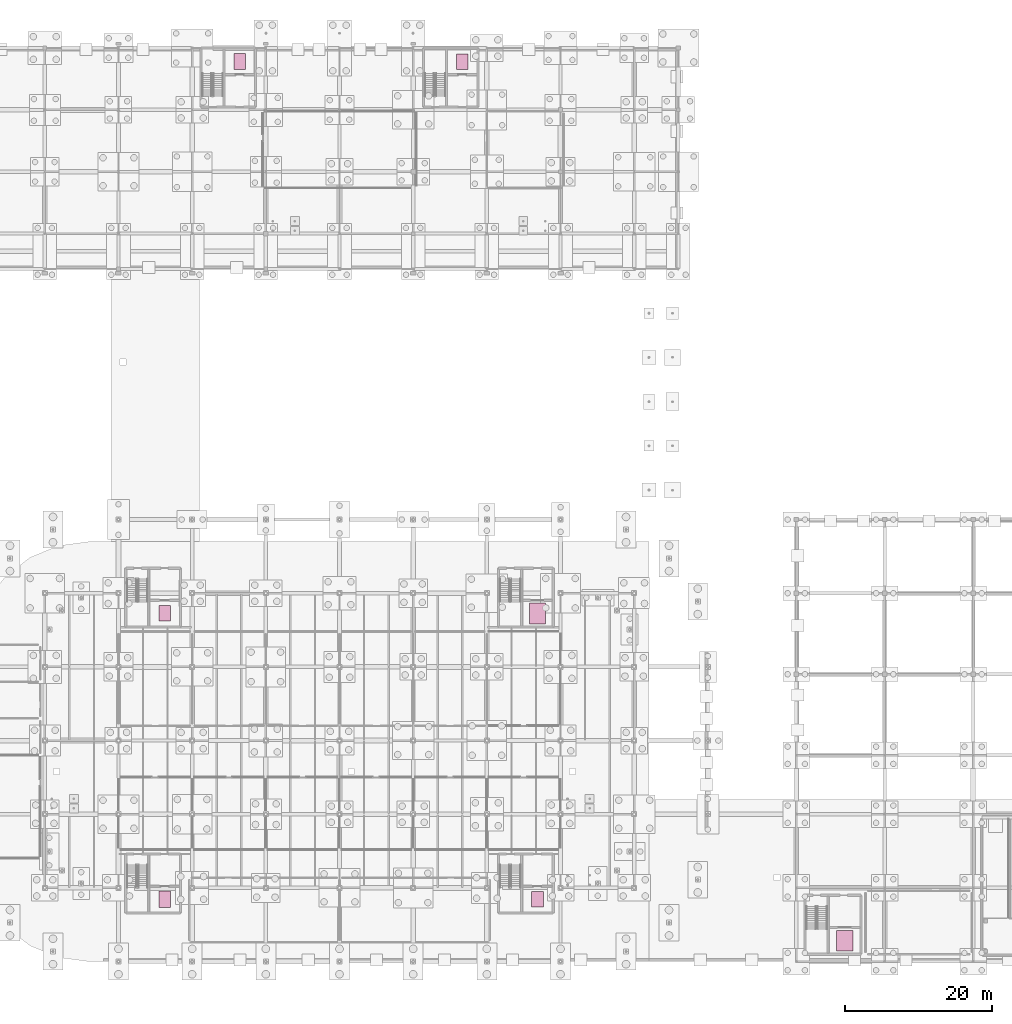
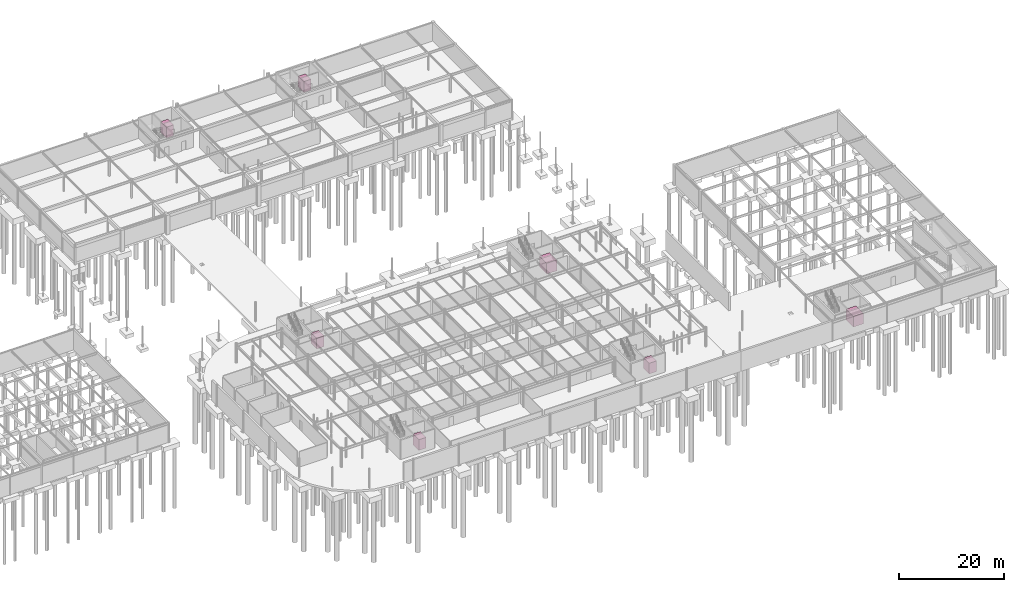
# One storey, part 75 of 75: 7 transport elements.
"""IFC4 building model written with IfcOpenShell, lengths in metres."""

from ifc_helpers import new_model, si_unit, derived_unit, direction, frame, origin, origin_2d_with_axis, place, context, subcontext, project, spatial, rectangle, extrude, material, type_object, element, save


model = new_model("IFC4")

# Units and contexts
model_context = context("Model", 3, precision=1e-05, world=origin(), true_north=direction((0.0, 1.0)))
body_context = subcontext(model_context, "Body", "Model", "MODEL_VIEW")
ifc_project = project(units=[si_unit("LENGTHUNIT", "METRE"), si_unit("AREAUNIT", "SQUARE_METRE"), si_unit("VOLUMEUNIT", "CUBIC_METRE"), si_unit("PLANEANGLEUNIT", "RADIAN"), si_unit("MASSUNIT", "GRAM", prefix="KILO"), derived_unit("THERMALTRANSMITTANCEUNIT", [(si_unit("POWERUNIT", "WATT"), 1), (si_unit("LENGTHUNIT", "METRE"), -2), (si_unit("THERMODYNAMICTEMPERATUREUNIT", "KELVIN"), -1)])], contexts=[model_context])

# Site, building, storey
site_placement = place(None, origin())
site = spatial("IfcSite", under=ifc_project, at=site_placement, CompositionType="ELEMENT")
building_placement = place(site_placement, origin())
building = spatial("IfcBuilding", under=site, at=building_placement, Name="Cinnabar Yard Market Hall", CompositionType="ELEMENT")
storey_placement = place(building_placement, frame((0.0, 0.0, -4.5)))
storey = spatial("IfcBuildingStorey", under=building, at=storey_placement, Name="B1", CompositionType="ELEMENT", Elevation=-4.5)

# Transport elements
ifc_material = material(Name="Brushed stainless steel lift car", Category="steel")
transport_element_type_1 = type_object("IfcTransportElementType", Name="TRN-LF-CAR1", PredefinedType="ELEVATOR", material=ifc_material)
for number, where, z_axis, x_axis, name in (
    (1, (92.27490234375, 22.449951171875, 0.0), (0.0, 0.0, 1.0), (1.0, 0.0, 0.0), "Lift LF-01"),
    (2, (102.47509765625, 136.14990234375, 0.0), (0.0, 0.0, 1.0), (1.0, 0.0, 0.0), "Lift LF-02"),
):
    element("IfcTransportElement", number, at=place(storey_placement, frame(where, z_axis=z_axis, x_axis=x_axis)), inside=storey, type_object=transport_element_type_1, Name=name, PredefinedType="ELEVATOR", context=body_context, shape_type="SweptSolid", body=[
        extrude(rectangle(XDim=1.60009765625, YDim=2.199951171875, at=origin_2d_with_axis()), origin(), (0.0, 0.0, 1.0), 2.5),
    ])
transport_element_type_2 = type_object("IfcTransportElementType", Name="TRN-LF-CAR2", PredefinedType="ELEVATOR", material=ifc_material)
for number, where, z_axis, x_axis, name in (
    (3, (142.875, 22.449951171875, 0.0), (0.0, 0.0, 1.0), (1.0, 0.0, 0.0), "Lift LP-01"),
    (4, (92.27490234375, 61.25, 0.0), (0.0, 0.0, 1.0), (1.0, 0.0, 0.0), "Lift LP-02"),
    (5, (132.675048828125, 136.14990234375, 0.0), (0.0, 0.0, 1.0), (1.0, 0.0, 0.0), "Lift LP-04"),
):
    element("IfcTransportElement", number, at=place(storey_placement, frame(where, z_axis=z_axis, x_axis=x_axis)), inside=storey, type_object=transport_element_type_2, Name=name, PredefinedType="ELEVATOR", context=body_context, shape_type="SweptSolid", body=[
        extrude(rectangle(XDim=1.60009765625, YDim=2.10009765625, at=origin_2d_with_axis()), origin(), (0.0, 0.0, 1.0), 2.5),
    ])
transport_element_type_3 = type_object("IfcTransportElementType", Name="TRN-LF-CAR3", PredefinedType="ELEVATOR", material=ifc_material)
for number, where, z_axis, x_axis, name in (
    (6, (142.875, 61.25, 0.0), (0.0, 0.0, 1.0), (1.0, 0.0, 0.0), "Lift LG-01"),
    (7, (184.574951171875, 16.85009765625, 0.0), (0.0, 0.0, 1.0), (1.0, 0.0, 0.0), "Lift LG-02"),
):
    element("IfcTransportElement", number, at=place(storey_placement, frame(where, z_axis=z_axis, x_axis=x_axis)), inside=storey, type_object=transport_element_type_3, Name=name, PredefinedType="ELEVATOR", context=body_context, shape_type="SweptSolid", body=[
        extrude(rectangle(XDim=2.199951171875, YDim=2.800048828125, at=origin_2d_with_axis()), origin(), (0.0, 0.0, 1.0), 2.5),
    ])

save(model, "model.ifc")
